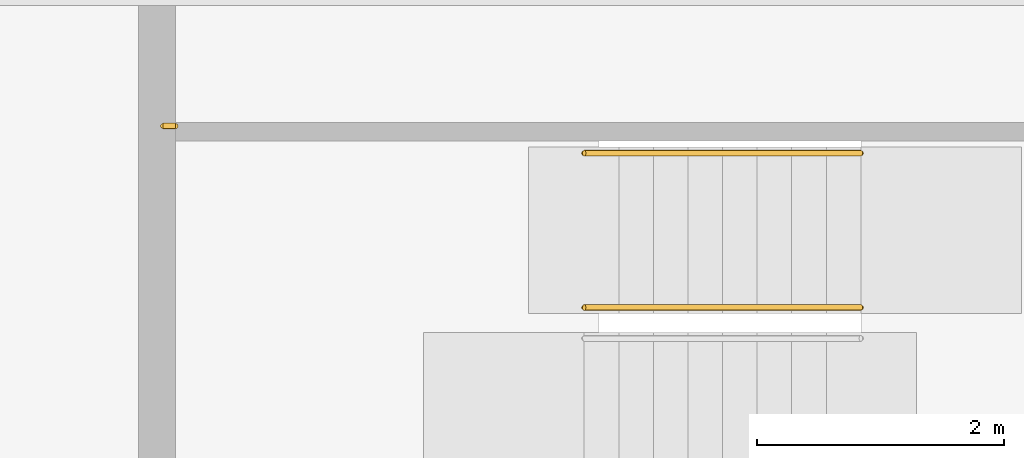
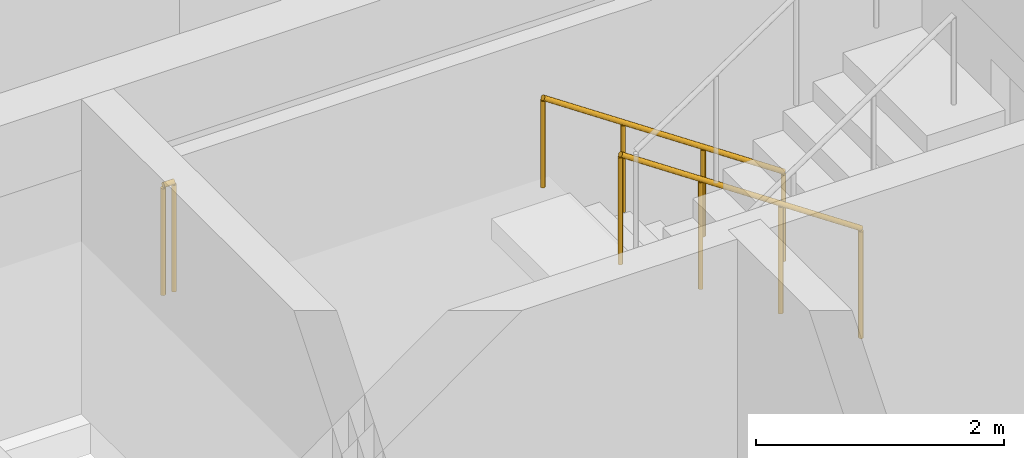
# One storey, part 12 of 13: 3 railings.
"""IFC4 building model written with IfcOpenShell, lengths in metres."""

from ifc_helpers import new_model, si_unit, direction, frame, origin, origin_2d, place, context, subcontext, project, spatial, circle, extrude, material, type_object, element, save


model = new_model("IFC4")

# Units and contexts
model_context = context("Model", 3, precision=1e-05, world=origin(), true_north=direction((0.0, 1.0)))
body_context = subcontext(model_context, "Body", "Model", "MODEL_VIEW")
ifc_project = project(units=[si_unit("LENGTHUNIT", "METRE"), si_unit("AREAUNIT", "SQUARE_METRE"), si_unit("VOLUMEUNIT", "CUBIC_METRE"), si_unit("PLANEANGLEUNIT", "RADIAN"), si_unit("MASSUNIT", "GRAM", prefix="KILO")], contexts=[model_context])

# Site, building, storey
site_placement = place(None, origin())
site = spatial("IfcSite", under=ifc_project, at=site_placement, CompositionType="ELEMENT")
building_placement = place(site_placement, origin())
building = spatial("IfcBuilding", under=site, at=building_placement, Name="Windrow Commons", CompositionType="ELEMENT")
storey_placement = place(building_placement, frame((0.0, 0.0, 264.2)))
storey = spatial("IfcBuildingStorey", under=building, at=storey_placement, Name="L72", CompositionType="ELEMENT", Elevation=264.2)

# Railings
ifc_material_1 = material(Name="Steel S355", Category="steel")
railing_type_1 = type_object("IfcRailingType", Name="Core stair guard 1100", PredefinedType="GUARDRAIL", material=ifc_material_1)
railing_1_placement = place(storey_placement, frame((70.5, 62.355, 0.1889)))
element("IfcRailing", 1, at=railing_1_placement, inside=storey, type_object=railing_type_1, Name="L72 ST-A2 stair guard 1", PredefinedType="GUARDRAIL", context=body_context, shape_type="SweptSolid", body=[
    extrude(circle(Radius=0.024, at=origin_2d()), frame((0.0, 0.0, 1.076), z_axis=(-0.8290030985, 0.0, 0.5592440099), x_axis=(0.0, -1.0, 0.0)), (0.0, 0.0, 1.0), 2.702),
    extrude(circle(Radius=0.021, at=origin_2d()), origin(), (0.0, 0.0, 1.0), 1.052),
    extrude(circle(Radius=0.021, at=origin_2d()), frame((-0.7467, 0.0, 0.5037)), (0.0, 0.0, 1.0), 1.052),
    extrude(circle(Radius=0.021, at=origin_2d()), frame((-1.4933, 0.0, 1.0074)), (0.0, 0.0, 1.0), 1.052),
    extrude(circle(Radius=0.021, at=origin_2d()), frame((-2.24, 0.0, 1.5111)), (0.0, 0.0, 1.0), 1.052),
])
railing_2_placement = place(storey_placement, frame((64.95, 63.825, 1.7)))
element("IfcRailing", 2, at=railing_2_placement, inside=storey, type_object=railing_type_1, Name="L72 ST-A2 stair guard 3", PredefinedType="GUARDRAIL", context=body_context, shape_type="SweptSolid", body=[
    extrude(circle(Radius=0.024, at=origin_2d()), frame((0.0, 0.0, 1.076), z_axis=(-1.0, 0.0, 0.0), x_axis=(0.0, -1.0, 0.0)), (0.0, 0.0, 1.0), 0.1),
    extrude(circle(Radius=0.021, at=origin_2d()), origin(), (0.0, 0.0, 1.0), 1.052),
    extrude(circle(Radius=0.021, at=origin_2d()), frame((-0.1, 0.0, 0.0)), (0.0, 0.0, 1.0), 1.052),
])
ifc_material_2 = material(Name="Steel S355", Category="steel")
railing_type_2 = type_object("IfcRailingType", Name="Core stair handrail 900", PredefinedType="HANDRAIL", material=ifc_material_2)
railing_3_placement = place(storey_placement, frame((70.5, 63.605, 0.1889)))
element("IfcRailing", 3, at=railing_3_placement, inside=storey, type_object=railing_type_2, Name="L72 ST-A2 stair handrail 1", PredefinedType="HANDRAIL", context=body_context, shape_type="SweptSolid", body=[
    extrude(circle(Radius=0.024, at=origin_2d()), frame((0.0, 0.0, 0.876), z_axis=(-0.8290030985, 0.0, 0.5592440099), x_axis=(0.0, -1.0, 0.0)), (0.0, 0.0, 1.0), 2.702),
    extrude(circle(Radius=0.021, at=origin_2d()), origin(), (0.0, 0.0, 1.0), 0.852),
    extrude(circle(Radius=0.021, at=origin_2d()), frame((-0.7467, 0.0, 0.5037)), (0.0, 0.0, 1.0), 0.852),
    extrude(circle(Radius=0.021, at=origin_2d()), frame((-1.4933, 0.0, 1.0074)), (0.0, 0.0, 1.0), 0.852),
    extrude(circle(Radius=0.021, at=origin_2d()), frame((-2.24, 0.0, 1.5111)), (0.0, 0.0, 1.0), 0.852),
])

save(model, "model.ifc")
